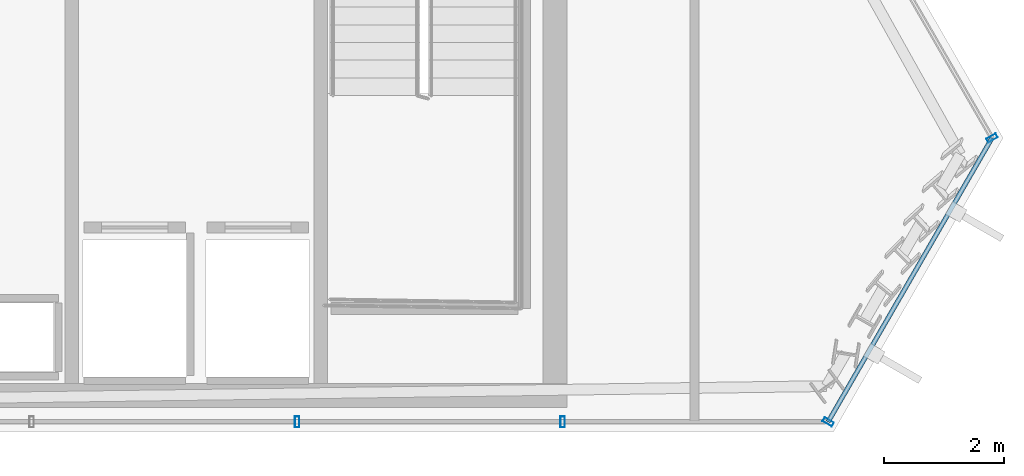
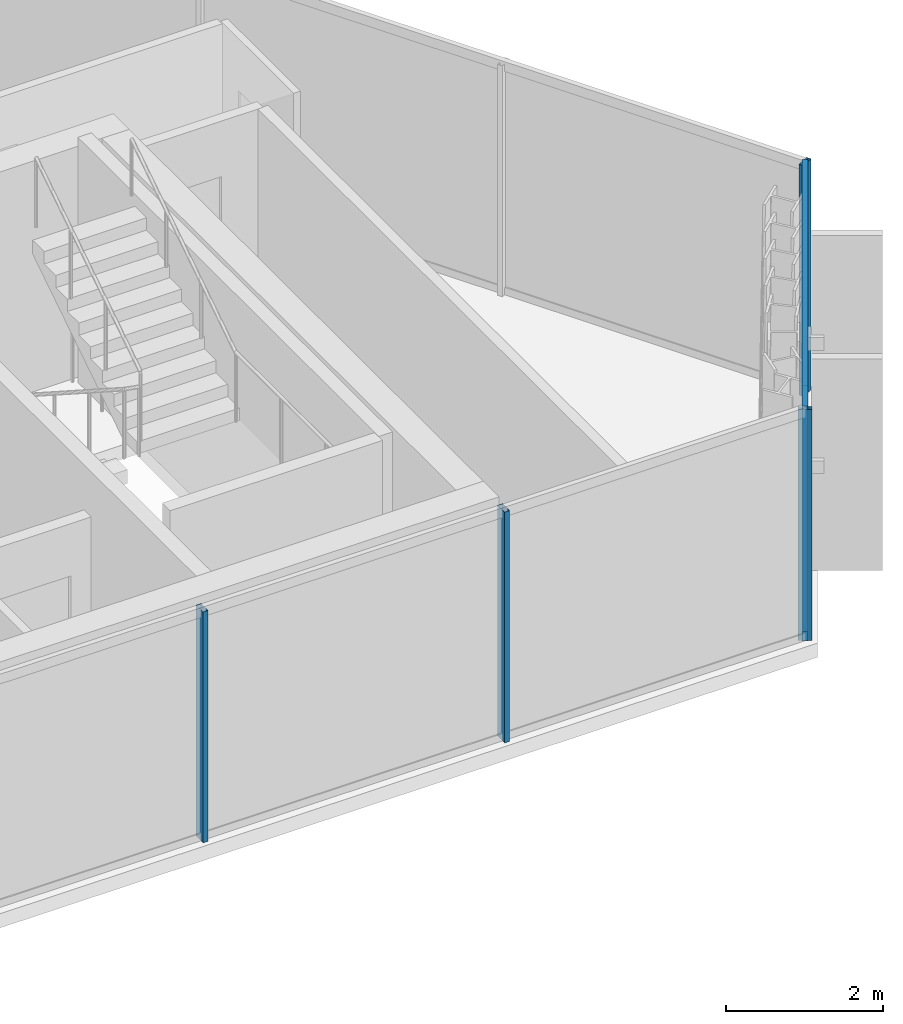
# One storey, part 22 of 34: 6 members, 3 elements without a shape of their own.
"""IFC4 building model written with IfcOpenShell, lengths in metres."""

from ifc_helpers import new_model, si_unit, direction, frame, origin, origin_2d, place, context, subcontext, project, spatial, hollow_rectangle, extrude, material, layer, layer_set, material_profile, profile_set, type_object, element, aggregate, save


model = new_model("IFC4")

# Units and contexts
model_context = context("Model", 3, precision=1e-05, world=origin(), true_north=direction((0.0, 1.0)))
body_context = subcontext(model_context, "Body", "Model", "MODEL_VIEW")
ifc_project = project(units=[si_unit("LENGTHUNIT", "METRE"), si_unit("AREAUNIT", "SQUARE_METRE"), si_unit("VOLUMEUNIT", "CUBIC_METRE"), si_unit("PLANEANGLEUNIT", "RADIAN"), si_unit("MASSUNIT", "GRAM", prefix="KILO")], contexts=[model_context])

# Site, building, storey
site_placement = place(None, origin())
site = spatial("IfcSite", under=ifc_project, at=site_placement, CompositionType="ELEMENT")
building_placement = place(site_placement, origin())
building = spatial("IfcBuilding", under=site, at=building_placement, Name="Ndaravel Arena Tower", CompositionType="ELEMENT")
storey_placement = place(building_placement, frame((0.0, 0.0, 267.39990234375)))
storey = spatial("IfcBuildingStorey", under=building, at=storey_placement, Name="L65", CompositionType="ELEMENT", Elevation=267.39990234375)

# Curtain wall, members
ifc_material_1 = material(Name="Aluminium", Category="aluminium")
ifc_layer_1 = layer(ifc_material_1, 0.179931640625)
ifc_layer_set_1 = layer_set([ifc_layer_1], Name="Aluminium")
curtain_wall_type_1 = type_object("IfcCurtainWallType", Name="CW-SYS-03", PredefinedType="NOTDEFINED", material=ifc_layer_set_1)
curtain_wall_1_placement = place(storey_placement, origin())
curtain_wall_1 = element("IfcCurtainWall", 1, at=curtain_wall_1_placement, inside=storey, type_object=curtain_wall_type_1, Name="L65 Faceted Crystal Curtain Wall CW-L65-E01", PredefinedType="NOTDEFINED")
ifc_material_2 = material(Name="Aluminium", Category="aluminium")
ifc_material_profile_1 = material_profile(ifc_material_2, hollow_rectangle(XDim=0.074951171875, YDim=0.179931640625, WallThickness=0.00390625, at=origin_2d()), Name="CW MULLION 75x180x4")
ifc_profile_set_1 = profile_set([ifc_material_profile_1], Name="Aluminium")
member_type_1 = type_object("IfcMemberType", Name="MEM-CW-MUL180", PredefinedType="MULLION", material=ifc_profile_set_1)
member_1_placement = place(storey_placement, frame((53.05615234375, 5.159912109375, 0.0), z_axis=(0.0, 0.0, 1.0), x_axis=(1.0, 0.0, 0.0)))
member_1 = element("IfcMember", 2, at=member_1_placement, type_object=member_type_1, Name="CW-L65-E01 Mullion 07", PredefinedType="MULLION", context=body_context, shape_type="SweptSolid", body=[
    extrude(hollow_rectangle(XDim=0.074951171875, YDim=0.179931640625, WallThickness=0.00390625, at=origin_2d()), origin(), (0.0, 0.0, 1.0), 3.580078125),
])
member_2_placement = place(storey_placement, frame((57.478515625, 5.159912109375, 0.0), z_axis=(0.0, 0.0, 1.0), x_axis=(1.0, 0.0, 0.0)))
member_2 = element("IfcMember", 3, at=member_2_placement, type_object=member_type_1, Name="CW-L65-E01 Mullion 08", PredefinedType="MULLION", context=body_context, shape_type="SweptSolid", body=[
    extrude(hollow_rectangle(XDim=0.074951171875, YDim=0.179931640625, WallThickness=0.00390625, at=origin_2d()), origin(), (0.0, 0.0, 1.0), 3.580078125),
])
aggregate(curtain_wall_1, [member_1, member_2])

# Curtain wall, member
ifc_material_3 = material(Name="Aluminium", Category="aluminium")
ifc_layer_2 = layer(ifc_material_3, 0.179931640625)
ifc_layer_set_2 = layer_set([ifc_layer_2], Name="Aluminium")
curtain_wall_type_2 = type_object("IfcCurtainWallType", Name="CW-SYS-01", PredefinedType="NOTDEFINED", material=ifc_layer_set_2)
curtain_wall_2_placement = place(storey_placement, origin())
curtain_wall_2 = element("IfcCurtainWall", 4, at=curtain_wall_2_placement, inside=storey, type_object=curtain_wall_type_2, Name="L65 Faceted Crystal Curtain Wall CW-L65-E02", PredefinedType="NOTDEFINED")
member_3_placement = place(storey_placement, frame((61.90087890625, 5.159912109375, 0.0), z_axis=(0.0, 0.0, 1.0), x_axis=(0.5, 0.866025403784, 0.0)))
member_3 = element("IfcMember", 5, at=member_3_placement, type_object=member_type_1, Name="CW-L65-E02 Mullion 00", PredefinedType="MULLION", context=body_context, shape_type="SweptSolid", body=[
    extrude(hollow_rectangle(XDim=0.074951171875, YDim=0.179931640625, WallThickness=0.00390625, at=origin_2d()), origin(), (0.0, 0.0, 1.0), 3.580078125),
])

curtain_wall_3_placement = place(storey_placement, origin())
curtain_wall_3 = element("IfcCurtainWall", 6, at=curtain_wall_3_placement, inside=storey, type_object=curtain_wall_type_1, Name="L65 Faceted Crystal Curtain Wall CW-L65-E03", PredefinedType="NOTDEFINED")
member_4_placement = place(storey_placement, frame((64.631103515625, 9.888916015625, 0.0), z_axis=(0.0, 0.0, 1.0), x_axis=(-0.5, 0.866025403784, 0.0)))
member_4 = element("IfcMember", 7, at=member_4_placement, type_object=member_type_1, Name="CW-L65-E03 Mullion 00", PredefinedType="MULLION", context=body_context, shape_type="SweptSolid", body=[
    extrude(hollow_rectangle(XDim=0.074951171875, YDim=0.179931640625, WallThickness=0.00390625, at=origin_2d()), origin(), (0.0, 0.0, 1.0), 3.580078125),
])
aggregate(curtain_wall_3, [member_4])

# Member
ifc_material_4 = material(Name="Aluminium", Category="aluminium")
ifc_material_profile_2 = material_profile(ifc_material_4, hollow_rectangle(XDim=0.074951171875, YDim=0.14990234375, WallThickness=0.00390625, at=origin_2d()), Name="CW TRANSOM 75x150x4")
ifc_profile_set_2 = profile_set([ifc_material_profile_2], Name="Aluminium")
member_type_2 = type_object("IfcMemberType", Name="MEM-CW-TRN150", PredefinedType="USERDEFINED", material=ifc_profile_set_2)
member_5_placement = place(storey_placement, frame((61.90087890625, 5.159912109375, 0.0400390625), z_axis=(0.499990788139, 0.86603072219, 0.0), x_axis=(-0.86603072219, 0.499990788139, 0.0)))
member_5 = element("IfcMember", 8, at=member_5_placement, type_object=member_type_2, Name="CW-L65-E02 Transom 01", ObjectType="TRANSOM", PredefinedType="USERDEFINED", context=body_context, shape_type="SweptSolid", body=[
    extrude(hollow_rectangle(XDim=0.074951171875, YDim=0.14990234375, WallThickness=0.00390625, at=origin_2d()), origin(), (0.0, 0.0, 1.0), 5.46044921875),
])

member_6_placement = place(storey_placement, frame((61.90087890625, 5.159912109375, 3.5400390625), z_axis=(0.499990788139, 0.86603072219, 0.0), x_axis=(-0.86603072219, 0.499990788139, 0.0)))
member_6 = element("IfcMember", 9, at=member_6_placement, type_object=member_type_2, Name="CW-L65-E02 Transom 02", ObjectType="TRANSOM", PredefinedType="USERDEFINED", context=body_context, shape_type="SweptSolid", body=[
    extrude(hollow_rectangle(XDim=0.074951171875, YDim=0.14990234375, WallThickness=0.00390625, at=origin_2d()), origin(), (0.0, 0.0, 1.0), 5.46044921875),
])

aggregate(curtain_wall_2, [member_3, member_5, member_6])

save(model, "model.ifc")
